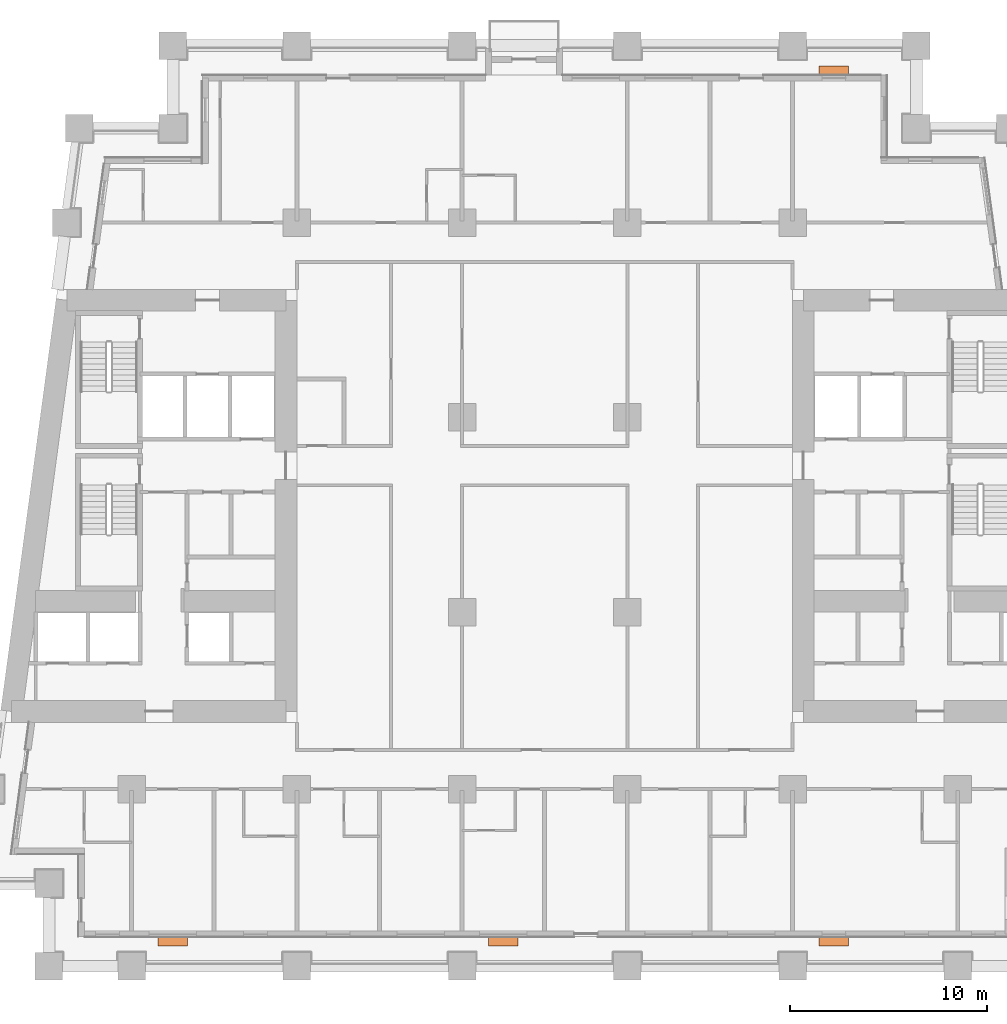
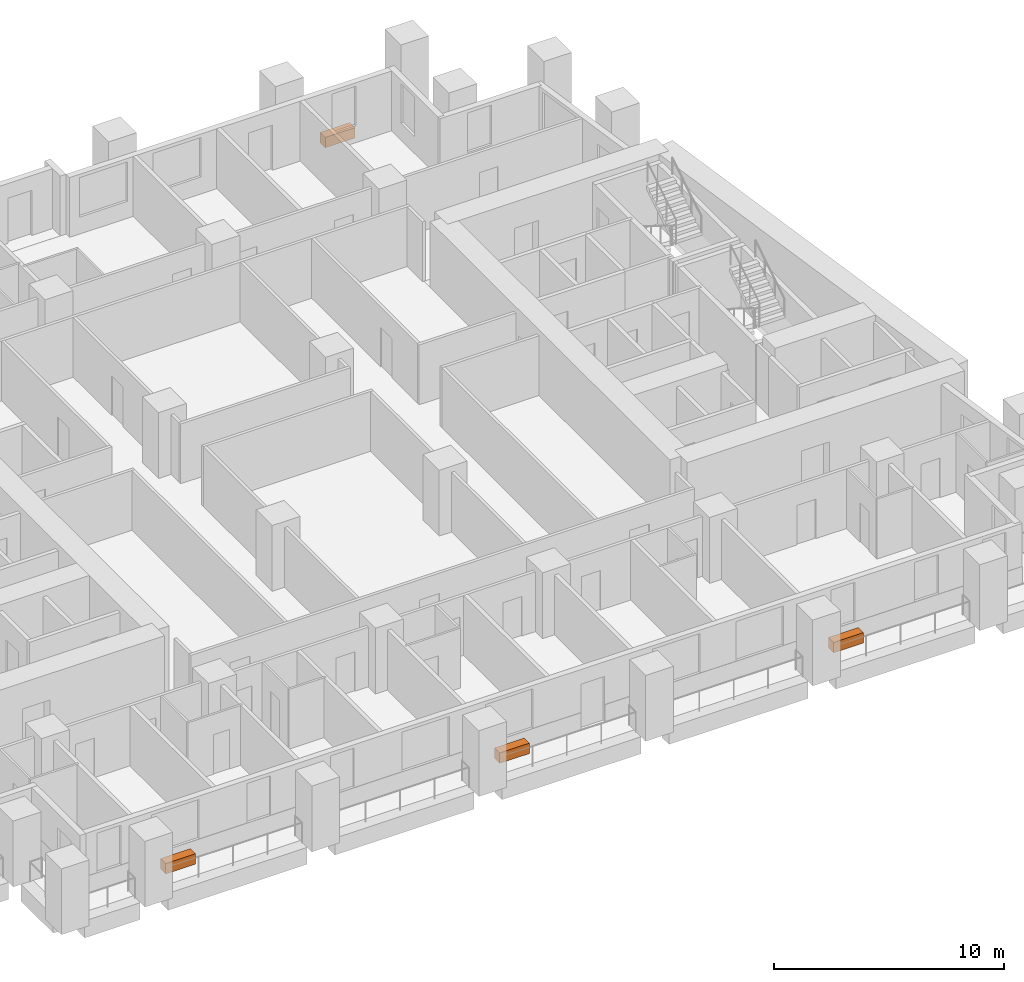
# One storey, part 12 of 12: 4 proxies.
"""IFC4 building model written with IfcOpenShell, lengths in metres."""

from ifc_helpers import new_model, si_unit, direction, frame, origin, origin_2d, place, context, subcontext, project, spatial, rectangle, extrude, element, save


model = new_model("IFC4")

# Units and contexts
model_context = context("Model", 3, precision=1e-05, world=origin(), true_north=direction((0.0, 1.0)))
body_context = subcontext(model_context, "Body", "Model", "MODEL_VIEW")
ifc_project = project(units=[si_unit("LENGTHUNIT", "METRE"), si_unit("AREAUNIT", "SQUARE_METRE"), si_unit("VOLUMEUNIT", "CUBIC_METRE"), si_unit("PLANEANGLEUNIT", "RADIAN"), si_unit("MASSUNIT", "GRAM", prefix="KILO")], contexts=[model_context])

# Site, building, storey
site_placement = place(None, origin())
site = spatial("IfcSite", under=ifc_project, at=site_placement, CompositionType="ELEMENT")
building_placement = place(site_placement, origin())
building = spatial("IfcBuilding", under=site, at=building_placement, Name="Candeia Pilgrim Tower and Theatre", CompositionType="ELEMENT")
storey_placement = place(building_placement, frame((0.0, 0.0, 53.0)))
storey = spatial("IfcBuildingStorey", under=building, at=storey_placement, Name="L10", CompositionType="ELEMENT", Elevation=53.0)

# Proxies
for number, where, z_axis, x_axis, name in (
    (1, (94.5, 99.2548828125, 0.0), (0.0, 0.0, 1.0), (1.0, 0.0, 0.0), "Planter"),
    (2, (111.300048828125, 99.2548828125, 0.0), (0.0, 0.0, 1.0), (1.0, 0.0, 0.0), "Planter"),
    (3, (128.10009765625, 99.2548828125, 0.0), (0.0, 0.0, 1.0), (1.0, 0.0, 0.0), "Planter"),
    (4, (128.10009765625, 143.544921875, 0.0), (0.0, 0.0, 1.0), (-1.0, 0.0, 0.0), "Planter"),
):
    element("IfcBuildingElementProxy", number, at=place(storey_placement, frame(where, z_axis=z_axis, x_axis=x_axis)), inside=storey, Name=name, ObjectType="PLANTER", PredefinedType="USERDEFINED", context=body_context, shape_type="SweptSolid", body=[
        extrude(rectangle(XDim=1.5, YDim=0.449951171875, at=origin_2d()), origin(), (0.0, 0.0, 1.0), 0.550048828125),
    ])

save(model, "model.ifc")
